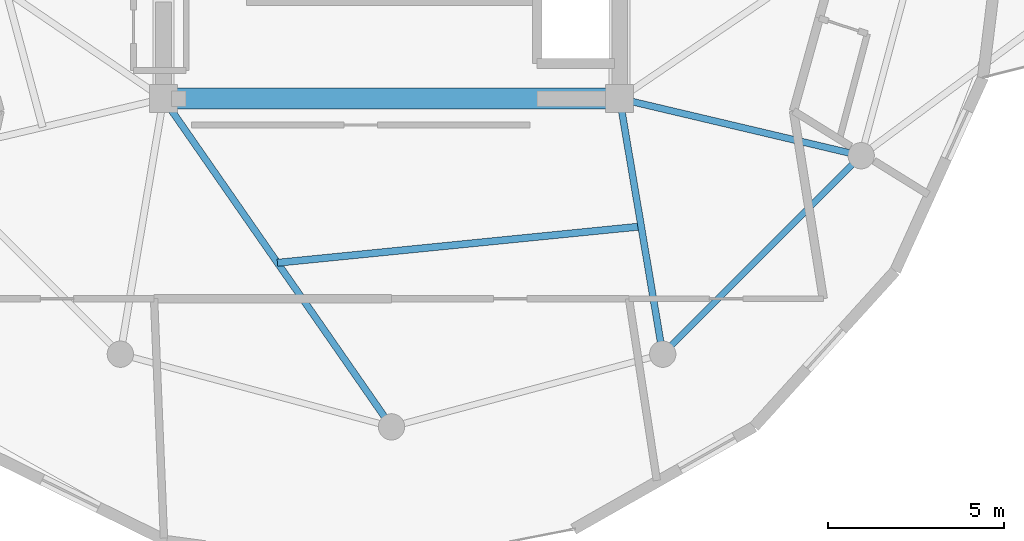
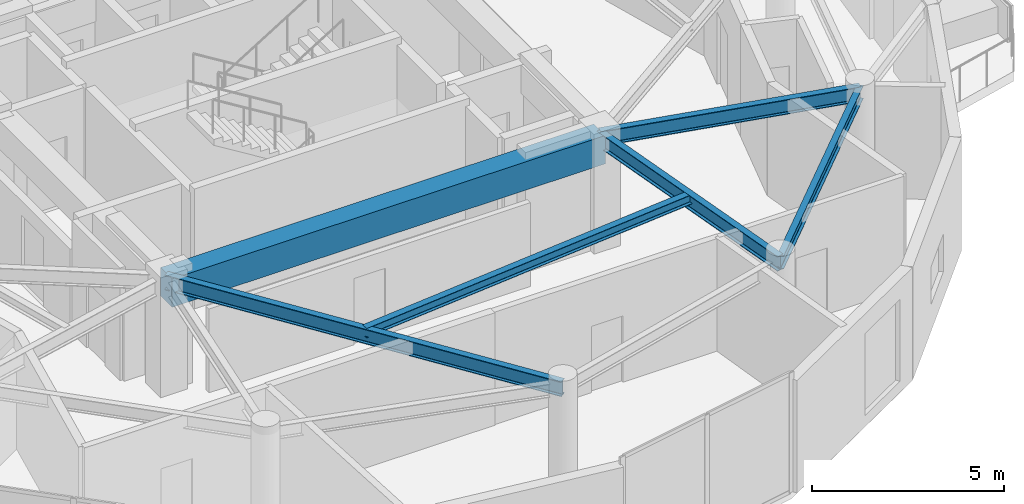
# One storey, part 6 of 18: 6 beams.
"""IFC4 building model written with IfcOpenShell, lengths in metres."""

from ifc_helpers import new_model, si_unit, direction, frame, origin, origin_2d, place, context, subcontext, project, spatial, rectangle, i_section, extrude, material, material_profile, profile_set, type_object, element, save


model = new_model("IFC4")

# Units and contexts
model_context = context("Model", 3, precision=1e-05, world=origin(), true_north=direction((0.0, 1.0)))
body_context = subcontext(model_context, "Body", "Model", "MODEL_VIEW")
ifc_project = project(units=[si_unit("LENGTHUNIT", "METRE"), si_unit("AREAUNIT", "SQUARE_METRE"), si_unit("VOLUMEUNIT", "CUBIC_METRE"), si_unit("PLANEANGLEUNIT", "RADIAN"), si_unit("MASSUNIT", "GRAM", prefix="KILO")], contexts=[model_context])

# Site, building, storey
site_placement = place(None, origin())
site = spatial("IfcSite", under=ifc_project, at=site_placement, CompositionType="ELEMENT")
building_placement = place(site_placement, origin())
building = spatial("IfcBuilding", under=site, at=building_placement, Name="Solvirekh Grand Hotel", CompositionType="ELEMENT")
storey_placement = place(building_placement, frame((0.0, 0.0, 274.39990234375)))
storey = spatial("IfcBuildingStorey", under=building, at=storey_placement, Name="L71", CompositionType="ELEMENT", Elevation=274.39990234375)

# Beams
ifc_material_1 = material(Name="Concrete C50/60", Category="concrete")
ifc_material_profile_1 = material_profile(ifc_material_1, rectangle(XDim=0.60009765625, YDim=0.89990234375, at=origin_2d()), Name="RC BEAM 600X900")
ifc_profile_set_1 = profile_set([ifc_material_profile_1], Name="Concrete C50/60")
beam_type_1 = type_object("IfcBeamType", Name="Beam_Core_RC900", PredefinedType="BEAM", material=ifc_profile_set_1)
beam_1_placement = place(storey_placement, frame((-6.5, -6.10009765625, 3.1201171875), z_axis=(1.0, 0.0, 0.0), x_axis=(0.0, 1.0, 0.0)))
element("IfcBeam", 1, at=beam_1_placement, inside=storey, type_object=beam_type_1, Name="L71 core coupling ring beam 1", PredefinedType="BEAM", context=body_context, shape_type="SweptSolid", body=[
    extrude(rectangle(XDim=0.60009765625, YDim=0.89990234375, at=origin_2d()), origin(), (0.0, 0.0, 1.0), 13.0),
])
ifc_material_2 = material(Name="Steel S355", Category="steel")
ifc_material_profile_2 = material_profile(ifc_material_2, i_section(OverallWidth=0.194091796875, OverallDepth=0.468994140625, WebThickness=0.010986328125, FlangeThickness=0.01904296875, FilletRadius=0.012939453125, at=origin_2d()), Name="W460X106")
ifc_profile_set_2 = profile_set([ifc_material_profile_2], Name="Steel S355")
beam_type_2 = type_object("IfcBeamType", Name="Beam_Radial_W460H", PredefinedType="BEAM", material=ifc_profile_set_2)
beam_2_placement = place(storey_placement, frame((-6.5, -6.10009765625, 3.336181640625), z_axis=(0.570813192472, -0.821079959139, 0.0), x_axis=(0.821079959139, 0.570813192472, 0.0)))
element("IfcBeam", 2, at=beam_2_placement, inside=storey, type_object=beam_type_2, Name="L71 radial floor beam R10", PredefinedType="BEAM", context=body_context, shape_type="SweptSolid", body=[
    extrude(i_section(OverallWidth=0.194091796875, OverallDepth=0.468994140625, WebThickness=0.010986328125, FlangeThickness=0.01904296875, FilletRadius=0.012939453125, at=origin_2d()), origin(), (0.0, 0.0, 1.0), 11.38720703125),
])
beam_3_placement = place(storey_placement, frame((6.5, -6.10009765625, 3.336181640625), z_axis=(0.165954049106, -0.986133486697, 0.0), x_axis=(0.986133486697, 0.165954049106, 0.0)))
element("IfcBeam", 3, at=beam_3_placement, inside=storey, type_object=beam_type_2, Name="L71 radial floor beam R11", PredefinedType="BEAM", context=body_context, shape_type="SweptSolid", body=[
    extrude(i_section(OverallWidth=0.194091796875, OverallDepth=0.468994140625, WebThickness=0.010986328125, FlangeThickness=0.01904296875, FilletRadius=0.012939453125, at=origin_2d()), origin(), (0.0, 0.0, 1.0), 7.382080078125),
])
beam_4_placement = place(storey_placement, frame((6.5, -6.10009765625, 3.336181640625), z_axis=(0.973221147544, -0.229870828888, 0.0), x_axis=(0.229870828888, 0.973221147544, 0.0)))
element("IfcBeam", 4, at=beam_4_placement, inside=storey, type_object=beam_type_2, Name="L71 radial floor beam R12", PredefinedType="BEAM", context=body_context, shape_type="SweptSolid", body=[
    extrude(i_section(OverallWidth=0.194091796875, OverallDepth=0.468994140625, WebThickness=0.010986328125, FlangeThickness=0.01904296875, FilletRadius=0.012939453125, at=origin_2d()), origin(), (0.0, 0.0, 1.0), 7.069091796875),
])
ifc_material_profile_3 = material_profile(ifc_material_2, i_section(OverallWidth=0.202880859375, OverallDepth=0.302978515625, WebThickness=0.008056640625, FlangeThickness=0.012939453125, FilletRadius=0.010009765625, at=origin_2d()), Name="W310X60")
ifc_profile_set_3 = profile_set([ifc_material_profile_3], Name="Steel S355")
beam_type_3 = type_object("IfcBeamType", Name="Joist_Floor_W310", PredefinedType="JOIST", material=ifc_profile_set_3)
beam_5_placement = place(storey_placement, frame((-3.25, -10.77490234375, 3.419189453125), z_axis=(0.995049485097, 0.099380693338, 0.0), x_axis=(-0.099380693338, 0.995049485097, 0.0)))
element("IfcBeam", 5, at=beam_5_placement, inside=storey, type_object=beam_type_3, Name="L71 secondary composite floor joist 10", PredefinedType="JOIST", context=body_context, shape_type="SweptSolid", body=[
    extrude(i_section(OverallWidth=0.202880859375, OverallDepth=0.302978515625, WebThickness=0.008056640625, FlangeThickness=0.012939453125, FilletRadius=0.010009765625, at=origin_2d()), origin(), (0.0, 0.0, 1.0), 10.41357421875),
])
ifc_material_profile_4 = material_profile(ifc_material_2, i_section(OverallWidth=0.180908203125, OverallDepth=0.4169921875, WebThickness=0.010009765625, FlangeThickness=0.01611328125, FilletRadius=0.011962890625, at=origin_2d()), Name="W410X85")
ifc_profile_set_4 = profile_set([ifc_material_profile_4], Name="Steel S355")
beam_type_4 = type_object("IfcBeamType", Name="Spandrel_Ring_W410", PredefinedType="SPANDREL", material=ifc_profile_set_4)
beam_6_placement = place(storey_placement, frame((7.72509765625, -13.3798828125, 3.362060546875), z_axis=(0.707106781187, 0.707106781187, 0.0), x_axis=(-0.707106781187, 0.707106781187, 0.0)))
element("IfcBeam", 6, at=beam_6_placement, inside=storey, type_object=beam_type_4, Name="L71 perimeter spandrel beam 11", PredefinedType="SPANDREL", context=body_context, shape_type="SweptSolid", body=[
    extrude(i_section(OverallWidth=0.180908203125, OverallDepth=0.4169921875, WebThickness=0.010009765625, FlangeThickness=0.01611328125, FilletRadius=0.011962890625, at=origin_2d()), origin(), (0.0, 0.0, 1.0), 7.9970703125),
])

save(model, "model.ifc")
